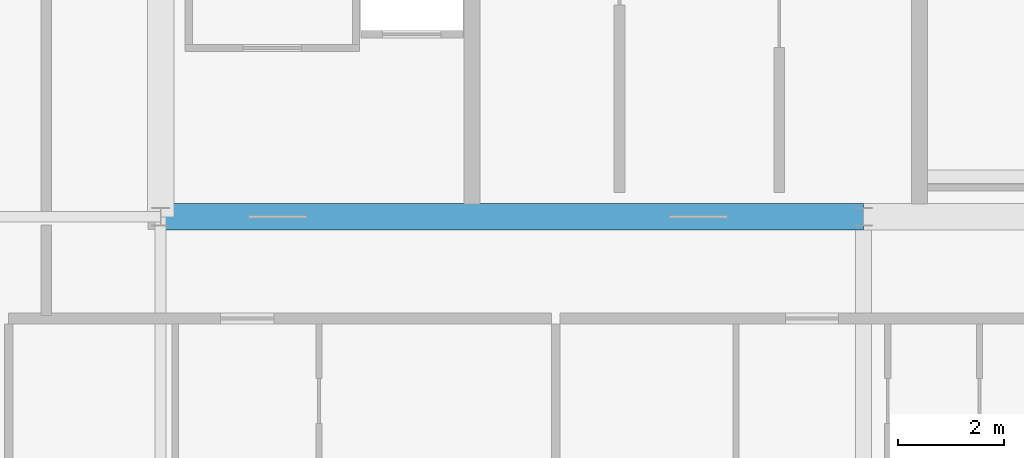
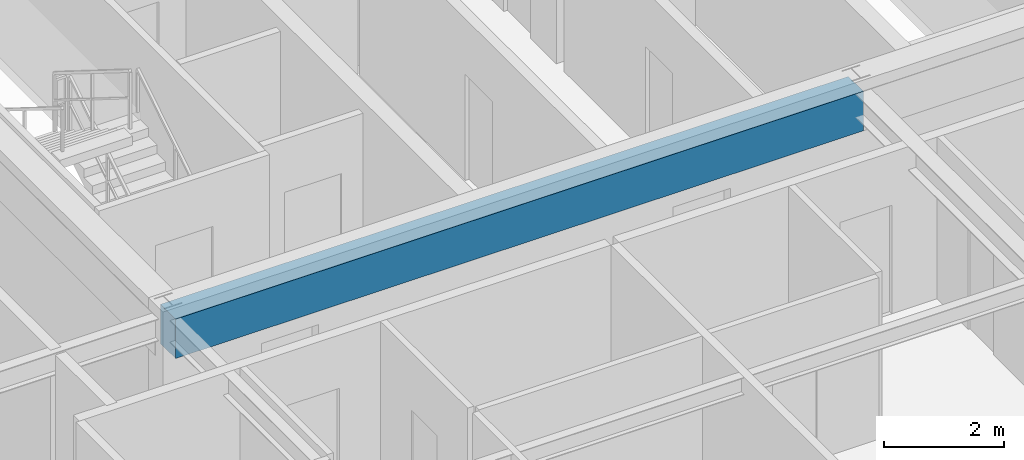
# One storey, part 7 of 35: 1 beam.
"""IFC4 building model written with IfcOpenShell, lengths in metres."""

import ifcopenshell
import ifcopenshell.guid

model = None  # the IFC model being written
_history = None  # IfcOwnerHistory: only IFC2X3 demands one
_inside = {}  # id of a spatial element -> (the spatial element, [elements in it])
_under = {}  # id of a project, library or spatial element -> (it, [spatial elements below it])
_declared = {}  # id of a project -> (the project, [libraries it declares])
_typed = {}  # id of a type object -> (the type object, [elements of that type])
_made_of = {}  # id of a material, layer set ... -> (it, [elements and type objects made of it])


def new_model(schema):
    """Start an empty IFC model of exactly this schema.

    Asked for "IFC4X3", IfcOpenShell would pick the latest addendum, in which some entities
    have other attributes; the version numbers below select the first issue.
    IFC2X3 requires an IfcOwnerHistory on every rooted entity: one is made here for all.
    """
    global model, _history
    if schema == "IFC4X3":
        model = ifcopenshell.file(schema_version=(4, 3, 0, 0))
    else:
        model = ifcopenshell.file(schema=schema)
    _inside.clear()
    _under.clear()
    _declared.clear()
    _typed.clear()
    _made_of.clear()
    _history = None
    if model.schema == "IFC2X3":
        org = make("IfcOrganization", Name="unknown")
        user = make(
            "IfcPersonAndOrganization",
            ThePerson=make("IfcPerson", FamilyName="unknown"),
            TheOrganization=org,
        )
        app = make(
            "IfcApplication",
            ApplicationDeveloper=org,
            Version="unknown",
            ApplicationFullName="unknown",
            ApplicationIdentifier="unknown",
        )
        _history = make(
            "IfcOwnerHistory",
            OwningUser=user,
            OwningApplication=app,
            ChangeAction="ADDED",
            CreationDate=0,
        )
    return model


def make(cls, **values):
    """One entity of the class cls with the attributes given. An attribute that is None is left unset."""
    return model.create_entity(
        cls, **{name: value for name, value in values.items() if value is not None}
    )


def rooted(cls, **values):
    """An entity with a GlobalId (a new one), such as an element, a storey or a relation."""
    return make(cls, GlobalId=ifcopenshell.guid.new(), OwnerHistory=_history, **values)


def si_unit(unit_type, name, prefix=None):
    """IfcSIUnit, for example si_unit("LENGTHUNIT", "METRE", prefix="MILLI")."""
    return make("IfcSIUnit", UnitType=unit_type, Prefix=prefix, Name=name)


def assignment(units):
    """IfcUnitAssignment: the units of a project."""
    return None if units is None else make("IfcUnitAssignment", Units=units)


def point(xyz):
    """IfcCartesianPoint."""
    return None if xyz is None else make("IfcCartesianPoint", Coordinates=xyz)


def direction(xyz):
    """IfcDirection."""
    return None if xyz is None else make("IfcDirection", DirectionRatios=xyz)


def frame(location, z_axis=None, x_axis=None):
    """IfcAxis2Placement3D, a coordinate frame: its origin and axes. An axis left out is left unset."""
    return make(
        "IfcAxis2Placement3D",
        Location=point(location),
        Axis=direction(z_axis),
        RefDirection=direction(x_axis),
    )


def frame_2d(location, x_axis=None):
    """IfcAxis2Placement2D, a coordinate frame in the plane: its origin and x axis."""
    return make(
        "IfcAxis2Placement2D", Location=point(location), RefDirection=direction(x_axis)
    )


def origin():
    """The frame at (0, 0, 0) with its axes left unset."""
    return frame((0.0, 0.0, 0.0))


def origin_2d():
    """The frame at (0, 0) in the plane with its x axis left unset."""
    return frame_2d((0.0, 0.0))


def place(relative_to, where):
    """IfcLocalPlacement: puts the frame where relative to a parent placement (None: the world)."""
    return make(
        "IfcLocalPlacement", PlacementRelTo=relative_to, RelativePlacement=where
    )


def context(
    kind, dimensions, precision=None, world=None, true_north=None, identifier=None
):
    """IfcGeometricRepresentationContext, for example the 3D "Model" context."""
    return make(
        "IfcGeometricRepresentationContext",
        ContextIdentifier=identifier,
        ContextType=kind,
        CoordinateSpaceDimension=dimensions,
        Precision=precision,
        WorldCoordinateSystem=world,
        TrueNorth=true_north,
    )


def subcontext(parent, identifier, kind, view, scale=None):
    """IfcGeometricRepresentationSubContext, for example "Body" below "Model"."""
    return make(
        "IfcGeometricRepresentationSubContext",
        ContextIdentifier=identifier,
        ContextType=kind,
        ParentContext=parent,
        TargetScale=scale,
        TargetView=view,
    )


def project(units=None, contexts=None):
    """IfcProject with its units and contexts."""
    return rooted(
        "IfcProject",
        Name="project",
        RepresentationContexts=contexts,
        UnitsInContext=assignment(units),
    )


def spatial(cls, under=None, at=None, **own):
    """A site, building, storey or space (cls), placed at a placement, below another one or the project."""
    s = rooted(cls, ObjectPlacement=at, **own)
    if under is not None:
        _under.setdefault(under.id(), (under, []))[1].append(s)
    return s


def profile(cls, at=None, kind="AREA", **sizes):
    """A parametric profile (cls). Its sizes go by their IFC names, for example OverallWidth=200.0."""
    return make(cls, ProfileType=kind, Position=at, **sizes)


def rectangle(**sizes):
    """IfcRectangleProfileDef."""
    return profile("IfcRectangleProfileDef", **sizes)


def extrude(swept, where, along, depth):
    """IfcExtrudedAreaSolid: the profile swept, set in the frame where, extruded along a direction by depth."""
    return make(
        "IfcExtrudedAreaSolid",
        SweptArea=swept,
        Position=where,
        ExtrudedDirection=direction(along),
        Depth=depth,
    )


def shape(context_of_items, identifier, shape_type, items):
    """IfcShapeRepresentation: the items that make up one representation, for example the "Body"."""
    return make(
        "IfcShapeRepresentation",
        ContextOfItems=context_of_items,
        RepresentationIdentifier=identifier,
        RepresentationType=shape_type,
        Items=items,
    )


def source(mapping_origin, context_of_items, identifier, shape_type, items):
    """IfcRepresentationMap: a shape defined once, which mapped items show again and again."""
    return make(
        "IfcRepresentationMap",
        MappingOrigin=mapping_origin,
        MappedRepresentation=shape(context_of_items, identifier, shape_type, items),
    )


def transform(
    local_origin,
    x_axis=None,
    y_axis=None,
    z_axis=None,
    scale=None,
    scale2=None,
    scale3=None,
    uniform=True,
):
    """IfcCartesianTransformationOperator3D, or its non-uniform kind. x_axis, y_axis, z_axis: its Axis1, 2, 3."""
    if uniform:
        return make(
            "IfcCartesianTransformationOperator3D",
            Axis1=direction(x_axis),
            Axis2=direction(y_axis),
            LocalOrigin=point(local_origin),
            Scale=scale,
            Axis3=direction(z_axis),
        )
    return make(
        "IfcCartesianTransformationOperator3DnonUniform",
        Axis1=direction(x_axis),
        Axis2=direction(y_axis),
        LocalOrigin=point(local_origin),
        Scale=scale,
        Axis3=direction(z_axis),
        Scale2=scale2,
        Scale3=scale3,
    )


def mapped(mapping_source, mapping_target):
    """IfcMappedItem: shows the shape of a source again, moved by a transform."""
    return make(
        "IfcMappedItem", MappingSource=mapping_source, MappingTarget=mapping_target
    )


def material(Name=None, Category=None):
    """IfcMaterial."""
    return make("IfcMaterial", Name=Name, Category=Category)


def material_profile(
    of_material, cross_section, Name=None, Category=None, Priority=None
):
    """IfcMaterialProfile: a cross section and its material."""
    return make(
        "IfcMaterialProfile",
        Name=Name,
        Material=of_material,
        Profile=cross_section,
        Priority=Priority,
        Category=Category,
    )


def profile_set(profiles, Name=None, composite=None):
    """IfcMaterialProfileSet."""
    return make(
        "IfcMaterialProfileSet",
        Name=Name,
        MaterialProfiles=profiles,
        CompositeProfile=composite,
    )


def made_of(thing, what):
    """Note that an element or type object is made of a material, layer set ...; save() writes the relation."""
    if what is not None:
        _made_of.setdefault(what.id(), (what, []))[1].append(thing)
    return thing


def type_object(cls, material=None, **own):
    """A type object (cls), such as IfcWallType, which elements share."""
    return made_of(rooted(cls, **own), material)


def element(
    cls,
    number,
    at=None,
    inside=None,
    cuts=None,
    type_object=None,
    material=None,
    context=None,
    identifier="Body",
    shape_type=None,
    held_by="IfcProductDefinitionShape",
    body=None,
    shapes=None,
    **own,
):
    """One element of the class cls, such as IfcWall. Its Tag is "e" and its number.

    at: its placement. inside: the storey or other place that contains it. cuts: it is an
    opening in that element (IfcRelVoidsElement). A single representation is given by context,
    identifier, shape_type and body (its items); several are given by shapes. held_by: the class
    of the entity that holds the representations. save() writes the other relations.
    """
    e = rooted(cls, Tag="e%d" % number, ObjectPlacement=at, **own)
    if body is not None:
        shapes = [shape(context, identifier, shape_type, body)]
    if shapes is not None:
        e.Representation = make(held_by, Representations=shapes)
    if inside is not None:
        _inside.setdefault(inside.id(), (inside, []))[1].append(e)
    if cuts is not None:
        rooted(
            "IfcRelVoidsElement", RelatingBuildingElement=cuts, RelatedOpeningElement=e
        )
    if type_object is not None:
        _typed.setdefault(type_object.id(), (type_object, []))[1].append(e)
    return made_of(e, material)


def aggregate(whole, parts):
    """IfcRelAggregates: a whole, such as a stair, and the parts it consists of."""
    return rooted("IfcRelAggregates", RelatingObject=whole, RelatedObjects=parts)


def save(model, path):
    """Write the relations noted so far, then the file.

    IfcRelAggregates (storeys below a building ...), IfcRelContainedInSpatialStructure (elements
    in a storey), IfcRelDefinesByType, IfcRelAssociatesMaterial and IfcRelDeclares: one each for
    every whole, place, type object, material and project.
    """
    for whole, parts in _under.values():
        aggregate(whole, parts)
    for where, things in _inside.values():
        rooted(
            "IfcRelContainedInSpatialStructure",
            RelatedElements=things,
            RelatingStructure=where,
        )
    for kind, things in _typed.values():
        rooted("IfcRelDefinesByType", RelatedObjects=things, RelatingType=kind)
    for what, things in _made_of.values():
        rooted("IfcRelAssociatesMaterial", RelatedObjects=things, RelatingMaterial=what)
    for by, libraries in _declared.values():
        rooted("IfcRelDeclares", RelatingContext=by, RelatedDefinitions=libraries)
    model.write(path)


model = new_model("IFC4")

# Units and contexts
model_context = context("Model", 3, precision=1e-05, world=origin(), true_north=direction((0.0, 1.0)))
body_context = subcontext(model_context, "Body", "Model", "MODEL_VIEW")
ifc_project = project(units=[si_unit("LENGTHUNIT", "METRE"), si_unit("AREAUNIT", "SQUARE_METRE"), si_unit("VOLUMEUNIT", "CUBIC_METRE"), si_unit("PLANEANGLEUNIT", "RADIAN"), si_unit("MASSUNIT", "GRAM", prefix="KILO"), si_unit("THERMODYNAMICTEMPERATUREUNIT", "KELVIN"), si_unit("POWERUNIT", "WATT")], contexts=[model_context])

# Site, building, storey
site_placement = place(None, origin())
site = spatial("IfcSite", under=ifc_project, at=site_placement, CompositionType="ELEMENT")
building_placement = place(site_placement, origin())
building = spatial("IfcBuilding", under=site, at=building_placement, Name="Yuzanri Waterfront Tower", CompositionType="ELEMENT")
storey_placement = place(building_placement, frame((0.0, 0.0, 314.699951171875)))
storey = spatial("IfcBuildingStorey", under=building, at=storey_placement, Name="L84", CompositionType="ELEMENT", Elevation=314.699951171875)

# Beam
ifc_material = material(Name="Concrete C50", Category="concrete")
ifc_material_profile = material_profile(ifc_material, rectangle(XDim=0.5, YDim=0.800048828125, at=origin_2d()), Name="RC 500x800")
ifc_profile_set = profile_set([ifc_material_profile], Name="Concrete C50")
beam_type = type_object("IfcBeamType", Name="Core Coupling Lintel Concrete C50 500x800", PredefinedType="LINTEL", material=ifc_profile_set)
shared_shape = source(origin(), body_context, "Body", "SweptSolid", [
    extrude(rectangle(XDim=0.5, YDim=0.800048828125, at=origin_2d()), origin(), (0.0, 0.0, 1.0), 13.199951171875),
])
beam_placement = place(storey_placement, frame((23.800048828125, 19.39990234375, 2.880126953125), z_axis=(1.0, 0.0, 0.0), x_axis=(0.0, 1.0, 0.0)))
element("IfcBeam", 1, at=beam_placement, inside=storey, type_object=beam_type, Name="L84 Core Tie Beam CS1", PredefinedType="LINTEL", context=body_context, shape_type="MappedRepresentation", body=[
    mapped(shared_shape, transform((0.0, 0.0, 0.0), scale=1.0)),
])

save(model, "model.ifc")
